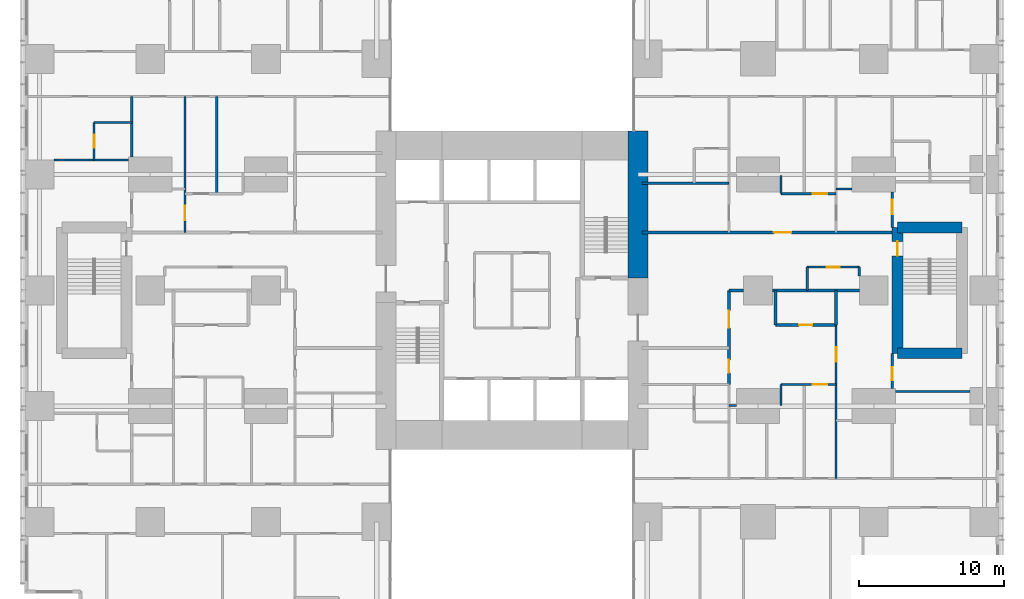
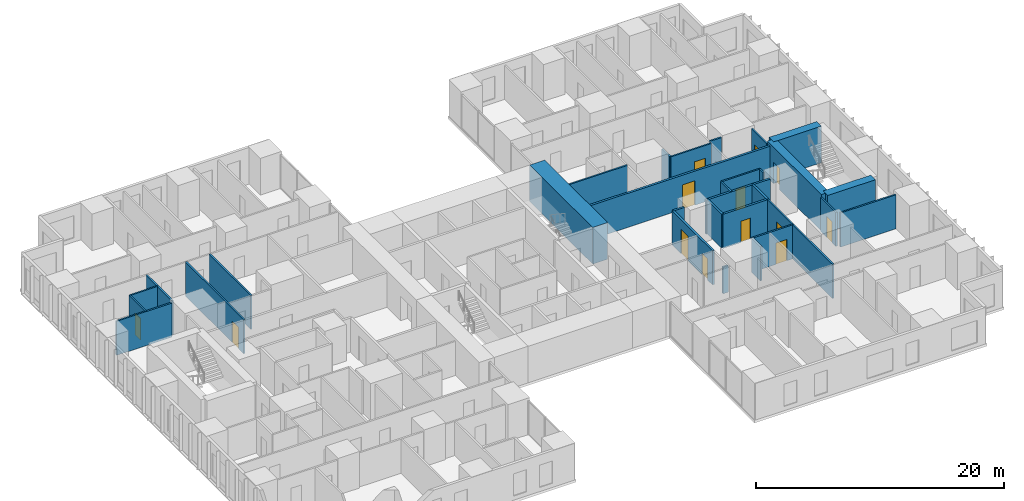
# One storey, part 16 of 21: 31 walls, 13 doors, 13 openings.
"""IFC4 building model written with IfcOpenShell, lengths in metres."""

from ifc_helpers import new_model, si_unit, direction, frame, frame_2d, origin, place, context, subcontext, project, spatial, rectangle, extrude, material, layer, layer_set, type_object, element, fill, save


model = new_model("IFC4")

# Units and contexts
model_context = context("Model", 3, precision=1e-05, world=origin(), true_north=direction((0.0, 1.0)))
body_context = subcontext(model_context, "Body", "Model", "MODEL_VIEW")
ifc_project = project(units=[si_unit("LENGTHUNIT", "METRE"), si_unit("AREAUNIT", "SQUARE_METRE"), si_unit("VOLUMEUNIT", "CUBIC_METRE"), si_unit("PLANEANGLEUNIT", "RADIAN"), si_unit("MASSUNIT", "GRAM", prefix="KILO")], contexts=[model_context])

# Site, building, storey
site_placement = place(None, origin())
site = spatial("IfcSite", under=ifc_project, at=site_placement, CompositionType="ELEMENT")
building_placement = place(site_placement, origin())
building = spatial("IfcBuilding", under=site, at=building_placement, Name="Cleftline Residences", CompositionType="ELEMENT")
storey_placement = place(building_placement, frame((0.0, 0.0, 161.0)))
storey = spatial("IfcBuildingStorey", under=building, at=storey_placement, Name="L42", CompositionType="ELEMENT", Elevation=161.0)

# Wall
ifc_material_1 = material(Name="Concrete B70", Category="concrete")
ifc_layer_1 = layer(ifc_material_1, 1.39990234375)
ifc_layer_set_1 = layer_set([ifc_layer_1], Name="CORE WALL 1400")
wall_type_1 = type_object("IfcWallType", Name="CORE WALL 1400", PredefinedType="SHEAR", material=ifc_layer_set_1)
wall_1_placement = place(storey_placement, frame((41.699951171875, 24.85009765625, 0.0), z_axis=(0.0, 0.0, 1.0), x_axis=(0.0, 1.0, 0.0)))
element("IfcWall", 1, at=wall_1_placement, inside=storey, type_object=wall_type_1, Name="Core wall E1", PredefinedType="SHEAR", context=body_context, shape_type="SweptSolid", body=[
    extrude(rectangle(XDim=10.14990234375, YDim=1.39990234375, at=frame_2d((5.074951171875, 0.0))), origin(), (0.0, 0.0, 1.0), 3.60009765625),
])

# Wall, opening, door
ifc_material_2 = material(Name="Concrete blockwork, fire rated", Category="masonry")
ifc_layer_2 = layer(ifc_material_2, 0.199951171875)
ifc_layer_set_2 = layer_set([ifc_layer_2], Name="FIRE WALL 200")
wall_type_2 = type_object("IfcWallType", Name="FIRE WALL 200", PredefinedType="PARTITIONING", material=ifc_layer_set_2)
wall_2_placement = place(storey_placement, frame((51.199951171875, 21.60009765625, 0.0), z_axis=(0.0, 0.0, 1.0), x_axis=(1.0, 0.0, 0.0)))
wall_2 = element("IfcWall", 2, at=wall_2_placement, inside=storey, type_object=wall_type_2, Name="Fire separating wall", PredefinedType="PARTITIONING", context=body_context, shape_type="SweptSolid", body=[
    extrude(rectangle(XDim=4.199951171875, YDim=0.199951171875, at=frame_2d((2.10009765625, 0.0))), origin(), (0.0, 0.0, 1.0), 3.35009765625),
])
opening_1_placement = place(wall_2_placement, frame((1.64990234375, 0.0, 0.0)))
opening_1 = element("IfcOpeningElement", 3, at=opening_1_placement, cuts=wall_2, Name="Opening D1F30", PredefinedType="OPENING", context=body_context, shape_type="SweptSolid", body=[
    extrude(rectangle(XDim=0.89990234375, YDim=2.10009765625, at=frame_2d((0.449951171875, 1.050048828125))), frame((0.0, 0.10986328125, 0.0), z_axis=(0.0, -1.0, 0.0), x_axis=(1.0, 0.0, 0.0)), (0.0, 0.0, 1.0), 0.219970703125),
])
ifc_material_3 = material(Name="Timber veneer on solid core", Category="wood")
door_type_1 = type_object("IfcDoorType", Name="DOOR 900X2100 EI 30", OperationType="SINGLE_SWING_LEFT", PredefinedType="DOOR", material=ifc_material_3)
door_1_placement = place(opening_1_placement, origin())
door_1 = element("IfcDoor", 4, at=door_1_placement, inside=storey, type_object=door_type_1, Name="Door to cloakroom wc", OperationType="SINGLE_SWING_LEFT", OverallHeight=2.10009765625, OverallWidth=0.89990234375, PredefinedType="DOOR", context=body_context, shape_type="SweptSolid", body=[
    extrude(rectangle(XDim=0.89990234375, YDim=2.10009765625, at=frame_2d((0.449951171875, 1.050048828125))), frame((0.0, 0.02490234375, 0.0), z_axis=(0.0, -1.0, 0.0), x_axis=(1.0, 0.0, 0.0)), (0.0, 0.0, 1.0), 0.050048828125),
])
fill(opening_1, door_1)

# Walls
wall_3_placement = place(storey_placement, frame((48.0, 24.0, 0.0), z_axis=(0.0, 0.0, 1.0), x_axis=(1.0, 0.0, 0.0)))
element("IfcWall", 5, at=wall_3_placement, inside=storey, type_object=wall_type_2, Name="Fire separating wall", PredefinedType="PARTITIONING", context=body_context, shape_type="SweptSolid", body=[
    extrude(rectangle(XDim=1.0, YDim=0.199951171875, at=frame_2d((0.5, 0.0))), origin(), (0.0, 0.0, 1.0), 3.35009765625),
])
wall_4_placement = place(storey_placement, frame((51.0, 24.0, 0.0), z_axis=(0.0, 0.0, 1.0), x_axis=(1.0, 0.0, 0.0)))
element("IfcWall", 6, at=wall_4_placement, inside=storey, type_object=wall_type_2, Name="Fire separating wall", PredefinedType="PARTITIONING", context=body_context, shape_type="SweptSolid", body=[
    extrude(rectangle(XDim=6.0, YDim=0.199951171875, at=frame_2d((3.0, 0.0))), origin(), (0.0, 0.0, 1.0), 3.35009765625),
])

# Wall, opening, door
wall_5_placement = place(storey_placement, frame((42.0, 28.0, 0.0), z_axis=(0.0, 0.0, 1.0), x_axis=(1.0, 0.0, 0.0)))
wall_5 = element("IfcWall", 7, at=wall_5_placement, inside=storey, type_object=wall_type_2, Name="Fire separating wall", PredefinedType="PARTITIONING", context=body_context, shape_type="SweptSolid", body=[
    extrude(rectangle(XDim=17.27490234375, YDim=0.199951171875, at=frame_2d((8.637451171875, 0.0))), origin(), (0.0, 0.0, 1.0), 3.35009765625),
])
opening_2_placement = place(wall_5_placement, frame((9.10009765625, 0.0, 0.0)))
opening_2 = element("IfcOpeningElement", 8, at=opening_2_placement, cuts=wall_5, Name="Opening D4", PredefinedType="OPENING", context=body_context, shape_type="SweptSolid", body=[
    extrude(rectangle(XDim=1.199951171875, YDim=2.39990234375, at=frame_2d((0.60009765625, 1.199951171875))), frame((0.0, 0.10986328125, 0.0), z_axis=(0.0, -1.0, 0.0), x_axis=(1.0, 0.0, 0.0)), (0.0, 0.0, 1.0), 0.219970703125),
])
ifc_material_4 = material(Name="Timber veneer on solid core", Category="wood")
door_type_2 = type_object("IfcDoorType", Name="APARTMENT ENTRANCE DOOR 1200X2400", OperationType="SINGLE_SWING_RIGHT", PredefinedType="DOOR", material=ifc_material_4)
door_2_placement = place(opening_2_placement, origin())
door_2 = element("IfcDoor", 9, at=door_2_placement, inside=storey, type_object=door_type_2, Name="Door to residence entrance (gallery)", OperationType="SINGLE_SWING_LEFT", OverallHeight=2.39990234375, OverallWidth=1.199951171875, PredefinedType="DOOR", context=body_context, shape_type="SweptSolid", body=[
    extrude(rectangle(XDim=1.199951171875, YDim=2.39990234375, at=frame_2d((0.60009765625, 1.199951171875))), frame((0.0, 0.02490234375, 0.0), z_axis=(0.0, -1.0, 0.0), x_axis=(1.0, 0.0, 0.0)), (0.0, 0.0, 1.0), 0.050048828125),
])
fill(opening_2, door_2)

# Wall, openings, doors
wall_6_placement = place(storey_placement, frame((48.0, 17.5, 0.0), z_axis=(0.0, 0.0, 1.0), x_axis=(0.0, 1.0, 0.0)))
wall_6 = element("IfcWall", 10, at=wall_6_placement, inside=storey, type_object=wall_type_2, Name="Fire separating wall", PredefinedType="PARTITIONING", context=body_context, shape_type="SweptSolid", body=[
    extrude(rectangle(XDim=6.5, YDim=0.199951171875, at=frame_2d((3.25, 0.0))), origin(), (0.0, 0.0, 1.0), 3.35009765625),
])
opening_3_placement = place(wall_6_placement, frame((3.89990234375, 0.0, 0.0)))
opening_3 = element("IfcOpeningElement", 11, at=opening_3_placement, cuts=wall_6, Name="Opening D4", PredefinedType="OPENING", context=body_context, shape_type="SweptSolid", body=[
    extrude(rectangle(XDim=1.199951171875, YDim=2.39990234375, at=frame_2d((0.60009765625, 1.199951171875))), frame((0.0, 0.10986328125, 0.0), z_axis=(0.0, -1.0, 0.0), x_axis=(1.0, 0.0, 0.0)), (0.0, 0.0, 1.0), 0.219970703125),
])
opening_4_placement = place(wall_6_placement, frame((0.800048828125, 0.0, 0.0)))
opening_4 = element("IfcOpeningElement", 12, at=opening_4_placement, cuts=wall_6, Name="Opening D1F30", PredefinedType="OPENING", context=body_context, shape_type="SweptSolid", body=[
    extrude(rectangle(XDim=0.89990234375, YDim=2.10009765625, at=frame_2d((0.449951171875, 1.050048828125))), frame((0.0, 0.10986328125, 0.0), z_axis=(0.0, -1.0, 0.0), x_axis=(1.0, 0.0, 0.0)), (0.0, 0.0, 1.0), 0.219970703125),
])
door_3_placement = place(opening_3_placement, origin())
door_3 = element("IfcDoor", 13, at=door_3_placement, inside=storey, type_object=door_type_2, Name="Door to residence entrance foyer", OperationType="SINGLE_SWING_LEFT", OverallHeight=2.39990234375, OverallWidth=1.199951171875, PredefinedType="DOOR", context=body_context, shape_type="SweptSolid", body=[
    extrude(rectangle(XDim=1.199951171875, YDim=2.39990234375, at=frame_2d((0.60009765625, 1.199951171875))), frame((0.0, 0.02490234375, 0.0), z_axis=(0.0, -1.0, 0.0), x_axis=(1.0, 0.0, 0.0)), (0.0, 0.0, 1.0), 0.050048828125),
])
fill(opening_3, door_3)
door_4_placement = place(opening_4_placement, origin())
door_4 = element("IfcDoor", 14, at=door_4_placement, inside=storey, type_object=door_type_1, Name="Door to utility room", OperationType="SINGLE_SWING_RIGHT", OverallHeight=2.10009765625, OverallWidth=0.89990234375, PredefinedType="DOOR", context=body_context, shape_type="SweptSolid", body=[
    extrude(rectangle(XDim=0.89990234375, YDim=2.10009765625, at=frame_2d((0.449951171875, 1.050048828125))), frame((0.0, 0.02490234375, 0.0), z_axis=(0.0, -1.0, 0.0), x_axis=(1.0, 0.0, 0.0)), (0.0, 0.0, 1.0), 0.050048828125),
])
fill(opening_4, door_4)

# Walls
for number, where, z_axis, x_axis, name in (
    (15, (51.199951171875, 21.60009765625, 0.0), (0.0, 0.0, 1.0), (0.0, 1.0, 0.0), "Fire separating wall"),
    (16, (55.39990234375, 21.60009765625, 0.0), (0.0, 0.0, 1.0), (0.0, 1.0, 0.0), "Fire separating wall"),
):
    element("IfcWall", number, at=place(storey_placement, frame(where, z_axis=z_axis, x_axis=x_axis)), inside=storey, type_object=wall_type_2, Name=name, PredefinedType="PARTITIONING", context=body_context, shape_type="SweptSolid", body=[
        extrude(rectangle(XDim=2.39990234375, YDim=0.199951171875, at=frame_2d((1.199951171875, 0.0))), origin(), (0.0, 0.0, 1.0), 3.35009765625),
    ])
ifc_material_5 = material(Name="Gypsum board on steel studs", Category="steel")
ifc_layer_3 = layer(ifc_material_5, 0.14990234375)
ifc_layer_set_3 = layer_set([ifc_layer_3], Name="PARTITION 150")
wall_type_3 = type_object("IfcWallType", Name="PARTITION 150", PredefinedType="PARTITIONING", material=ifc_layer_set_3)
wall_7_placement = place(storey_placement, frame((48.0, 16.050048828125, 0.0), z_axis=(0.0, 0.0, 1.0), x_axis=(1.0, 0.0, 0.0)))
element("IfcWall", 17, at=wall_7_placement, inside=storey, type_object=wall_type_3, Name="Partition", PredefinedType="PARTITIONING", context=body_context, shape_type="SweptSolid", body=[
    extrude(rectangle(XDim=0.5, YDim=0.14990234375, at=frame_2d((0.25, 0.0))), origin(), (0.0, 0.0, 1.0), 2.634033203125),
])
wall_8_placement = place(storey_placement, frame((59.5, 17.0, 0.0), z_axis=(0.0, 0.0, 1.0), x_axis=(1.0, 0.0, 0.0)))
element("IfcWall", 18, at=wall_8_placement, inside=storey, type_object=wall_type_3, Name="Partition", PredefinedType="PARTITIONING", context=body_context, shape_type="SweptSolid", body=[
    extrude(rectangle(XDim=5.14990234375, YDim=0.14990234375, at=frame_2d((2.574951171875, 0.0))), origin(), (0.0, 0.0, 1.0), 3.35009765625),
])

# Wall, opening, door
wall_9_placement = place(storey_placement, frame((51.60009765625, 17.5, 0.0), z_axis=(0.0, 0.0, 1.0), x_axis=(1.0, 0.0, 0.0)))
wall_9 = element("IfcWall", 19, at=wall_9_placement, inside=storey, type_object=wall_type_3, Name="Partition", PredefinedType="PARTITIONING", context=body_context, shape_type="SweptSolid", body=[
    extrude(rectangle(XDim=3.7998046875, YDim=0.14990234375, at=frame_2d((1.89990234375, 0.0))), origin(), (0.0, 0.0, 1.0), 3.35009765625),
])
opening_5_placement = place(wall_9_placement, frame((2.199951171875, 0.0, 0.0)))
opening_5 = element("IfcOpeningElement", 20, at=opening_5_placement, cuts=wall_9, Name="Opening D2", PredefinedType="OPENING", context=body_context, shape_type="SweptSolid", body=[
    extrude(rectangle(XDim=1.0, YDim=2.10009765625, at=frame_2d((0.5, 1.050048828125))), frame((0.0, 0.0849609375, 0.0), z_axis=(0.0, -1.0, 0.0), x_axis=(1.0, 0.0, 0.0)), (0.0, 0.0, 1.0), 0.169921875),
])
ifc_material_6 = material(Name="Timber veneer on solid core", Category="wood")
door_type_3 = type_object("IfcDoorType", Name="DOOR 1000X2100", OperationType="SINGLE_SWING_LEFT", PredefinedType="DOOR", material=ifc_material_6)
door_5_placement = place(opening_5_placement, origin())
door_5 = element("IfcDoor", 21, at=door_5_placement, inside=storey, type_object=door_type_3, Name="Door to residence passage", OperationType="SINGLE_SWING_LEFT", OverallHeight=2.10009765625, OverallWidth=1.0, PredefinedType="DOOR", context=body_context, shape_type="SweptSolid", body=[
    extrude(rectangle(XDim=1.0, YDim=2.10009765625, at=frame_2d((0.5, 1.050048828125))), frame((0.0, 0.02490234375, 0.0), z_axis=(0.0, -1.0, 0.0), x_axis=(1.0, 0.0, 0.0)), (0.0, 0.0, 1.0), 0.050048828125),
])
fill(opening_5, door_5)

wall_10_placement = place(storey_placement, frame((53.39990234375, 25.60009765625, 0.0), z_axis=(0.0, 0.0, 1.0), x_axis=(1.0, 0.0, 0.0)))
wall_10 = element("IfcWall", 22, at=wall_10_placement, inside=storey, type_object=wall_type_3, Name="Partition", PredefinedType="PARTITIONING", context=body_context, shape_type="SweptSolid", body=[
    extrude(rectangle(XDim=3.60009765625, YDim=0.14990234375, at=frame_2d((1.800048828125, 0.0))), origin(), (0.0, 0.0, 1.0), 3.35009765625),
])
opening_6_placement = place(wall_10_placement, frame((1.35009765625, 0.0, 0.0)))
opening_6 = element("IfcOpeningElement", 23, at=opening_6_placement, cuts=wall_10, Name="Opening D1", PredefinedType="OPENING", context=body_context, shape_type="SweptSolid", body=[
    extrude(rectangle(XDim=0.89990234375, YDim=2.10009765625, at=frame_2d((0.449951171875, 1.050048828125))), frame((0.0, 0.0849609375, 0.0), z_axis=(0.0, -1.0, 0.0), x_axis=(1.0, 0.0, 0.0)), (0.0, 0.0, 1.0), 0.169921875),
])
ifc_material_7 = material(Name="Timber veneer on solid core", Category="wood")
door_type_4 = type_object("IfcDoorType", Name="DOOR 900X2100", OperationType="SINGLE_SWING_LEFT", PredefinedType="DOOR", material=ifc_material_7)
door_6_placement = place(opening_6_placement, origin())
door_6 = element("IfcDoor", 24, at=door_6_placement, inside=storey, type_object=door_type_4, Name="Door to residents' storage room", OperationType="SINGLE_SWING_LEFT", OverallHeight=2.10009765625, OverallWidth=0.89990234375, PredefinedType="DOOR", context=body_context, shape_type="SweptSolid", body=[
    extrude(rectangle(XDim=0.89990234375, YDim=2.10009765625, at=frame_2d((0.449951171875, 1.050048828125))), frame((0.0, 0.02490234375, 0.0), z_axis=(0.0, -1.0, 0.0), x_axis=(1.0, 0.0, 0.0)), (0.0, 0.0, 1.0), 0.050048828125),
])
fill(opening_6, door_6)

wall_11_placement = place(storey_placement, frame((51.60009765625, 30.675048828125, 0.0), z_axis=(0.0, 0.0, 1.0), x_axis=(1.0, 0.0, 0.0)))
wall_11 = element("IfcWall", 25, at=wall_11_placement, inside=storey, type_object=wall_type_3, Name="Partition", PredefinedType="PARTITIONING", context=body_context, shape_type="SweptSolid", body=[
    extrude(rectangle(XDim=3.7998046875, YDim=0.14990234375, at=frame_2d((1.89990234375, 0.0))), origin(), (0.0, 0.0, 1.0), 3.35009765625),
])
opening_7_placement = place(wall_11_placement, frame((2.199951171875, 0.0, 0.0)))
opening_7 = element("IfcOpeningElement", 26, at=opening_7_placement, cuts=wall_11, Name="Opening D2", PredefinedType="OPENING", context=body_context, shape_type="SweptSolid", body=[
    extrude(rectangle(XDim=1.0, YDim=2.10009765625, at=frame_2d((0.5, 1.050048828125))), frame((0.0, 0.0849609375, 0.0), z_axis=(0.0, -1.0, 0.0), x_axis=(1.0, 0.0, 0.0)), (0.0, 0.0, 1.0), 0.169921875),
])
door_7_placement = place(opening_7_placement, origin())
door_7 = element("IfcDoor", 27, at=door_7_placement, inside=storey, type_object=door_type_3, Name="Door to residence passage", OperationType="SINGLE_SWING_LEFT", OverallHeight=2.10009765625, OverallWidth=1.0, PredefinedType="DOOR", context=body_context, shape_type="SweptSolid", body=[
    extrude(rectangle(XDim=1.0, YDim=2.10009765625, at=frame_2d((0.5, 1.050048828125))), frame((0.0, 0.02490234375, 0.0), z_axis=(0.0, -1.0, 0.0), x_axis=(1.0, 0.0, 0.0)), (0.0, 0.0, 1.0), 0.050048828125),
])
fill(opening_7, door_7)

# Walls
wall_12_placement = place(storey_placement, frame((55.39990234375, 31.0, 0.0), z_axis=(0.0, 0.0, 1.0), x_axis=(1.0, 0.0, 0.0)))
element("IfcWall", 28, at=wall_12_placement, inside=storey, type_object=wall_type_3, Name="Partition", PredefinedType="PARTITIONING", context=body_context, shape_type="SweptSolid", body=[
    extrude(rectangle(XDim=1.10009765625, YDim=0.14990234375, at=frame_2d((0.550048828125, 0.0))), origin(), (0.0, 0.0, 1.0), 3.35009765625),
])
wall_13_placement = place(storey_placement, frame((42.0, 31.39990234375, 0.0), z_axis=(0.0, 0.0, 1.0), x_axis=(1.0, 0.0, 0.0)))
element("IfcWall", 29, at=wall_13_placement, inside=storey, type_object=wall_type_3, Name="Partition", PredefinedType="PARTITIONING", context=body_context, shape_type="SweptSolid", body=[
    extrude(rectangle(XDim=6.0, YDim=0.14990234375, at=frame_2d((3.0, 0.0))), origin(), (0.0, 0.0, 1.0), 3.35009765625),
])
wall_14_placement = place(storey_placement, frame((1.35009765625, 33.0, 0.0), z_axis=(0.0, 0.0, 1.0), x_axis=(1.0, 0.0, 0.0)))
element("IfcWall", 30, at=wall_14_placement, inside=storey, type_object=wall_type_3, Name="Partition", PredefinedType="PARTITIONING", context=body_context, shape_type="SweptSolid", body=[
    extrude(rectangle(XDim=5.14990234375, YDim=0.14990234375, at=frame_2d((2.574951171875, 0.0))), origin(), (0.0, 0.0, 1.0), 3.35009765625),
])
wall_15_placement = place(storey_placement, frame((4.125, 35.60009765625, 0.0), z_axis=(0.0, 0.0, 1.0), x_axis=(1.0, 0.0, 0.0)))
element("IfcWall", 31, at=wall_15_placement, inside=storey, type_object=wall_type_3, Name="Partition", PredefinedType="PARTITIONING", context=body_context, shape_type="SweptSolid", body=[
    extrude(rectangle(XDim=2.60009765625, YDim=0.14990234375, at=frame_2d((1.300048828125, 0.0))), origin(), (0.0, 0.0, 1.0), 3.35009765625),
])

# Wall, opening, door
wall_16_placement = place(storey_placement, frame((4.125, 33.0, 0.0), z_axis=(0.0, 0.0, 1.0), x_axis=(0.0, 1.0, 0.0)))
wall_16 = element("IfcWall", 32, at=wall_16_placement, inside=storey, type_object=wall_type_3, Name="Partition", PredefinedType="PARTITIONING", context=body_context, shape_type="SweptSolid", body=[
    extrude(rectangle(XDim=2.60009765625, YDim=0.14990234375, at=frame_2d((1.300048828125, 0.0))), origin(), (0.0, 0.0, 1.0), 3.35009765625),
])
opening_8_placement = place(wall_16_placement, frame((0.85009765625, 0.0, 0.0)))
opening_8 = element("IfcOpeningElement", 33, at=opening_8_placement, cuts=wall_16, Name="Opening D1", PredefinedType="OPENING", context=body_context, shape_type="SweptSolid", body=[
    extrude(rectangle(XDim=0.89990234375, YDim=2.10009765625, at=frame_2d((0.449951171875, 1.050048828125))), frame((0.0, 0.0849609375, 0.0), z_axis=(0.0, -1.0, 0.0), x_axis=(1.0, 0.0, 0.0)), (0.0, 0.0, 1.0), 0.169921875),
])
door_8_placement = place(opening_8_placement, origin())
door_8 = element("IfcDoor", 34, at=door_8_placement, inside=storey, type_object=door_type_4, Name="Door to master bathroom", OperationType="SINGLE_SWING_LEFT", OverallHeight=2.10009765625, OverallWidth=0.89990234375, PredefinedType="DOOR", context=body_context, shape_type="SweptSolid", body=[
    extrude(rectangle(XDim=0.89990234375, YDim=2.10009765625, at=frame_2d((0.449951171875, 1.050048828125))), frame((0.0, 0.02490234375, 0.0), z_axis=(0.0, -1.0, 0.0), x_axis=(1.0, 0.0, 0.0)), (0.0, 0.0, 1.0), 0.050048828125),
])
fill(opening_8, door_8)

# Wall
wall_17_placement = place(storey_placement, frame((6.72509765625, 33.199951171875, 0.0), z_axis=(0.0, 0.0, 1.0), x_axis=(0.0, 1.0, 0.0)))
element("IfcWall", 35, at=wall_17_placement, inside=storey, type_object=wall_type_3, Name="Partition", PredefinedType="PARTITIONING", context=body_context, shape_type="SweptSolid", body=[
    extrude(rectangle(XDim=4.199951171875, YDim=0.14990234375, at=frame_2d((2.10009765625, 0.0))), origin(), (0.0, 0.0, 1.0), 3.35009765625),
])

# Wall, opening, door
wall_18_placement = place(storey_placement, frame((10.39990234375, 28.0, 0.0), z_axis=(0.0, 0.0, 1.0), x_axis=(0.0, 1.0, 0.0)))
wall_18 = element("IfcWall", 36, at=wall_18_placement, inside=storey, type_object=wall_type_3, Name="Partition", PredefinedType="PARTITIONING", context=body_context, shape_type="SweptSolid", body=[
    extrude(rectangle(XDim=9.39990234375, YDim=0.14990234375, at=frame_2d((4.699951171875, 0.0))), origin(), (0.0, 0.0, 1.0), 3.35009765625),
])
opening_9_placement = place(wall_18_placement, frame((0.83740234375, 0.0, 0.0)))
opening_9 = element("IfcOpeningElement", 37, at=opening_9_placement, cuts=wall_18, Name="Opening D2F30", PredefinedType="OPENING", context=body_context, shape_type="SweptSolid", body=[
    extrude(rectangle(XDim=1.0, YDim=2.10009765625, at=frame_2d((0.5, 1.050048828125))), frame((0.0, 0.0849609375, 0.0), z_axis=(0.0, -1.0, 0.0), x_axis=(1.0, 0.0, 0.0)), (0.0, 0.0, 1.0), 0.169921875),
])
ifc_material_8 = material(Name="Timber veneer on solid core", Category="wood")
door_type_5 = type_object("IfcDoorType", Name="DOOR 1000X2100 EI 30", OperationType="SINGLE_SWING_LEFT", PredefinedType="DOOR", material=ifc_material_8)
door_9_placement = place(opening_9_placement, origin())
door_9 = element("IfcDoor", 38, at=door_9_placement, inside=storey, type_object=door_type_5, Name="Door to residence lobby (service)", OperationType="SINGLE_SWING_RIGHT", OverallHeight=2.10009765625, OverallWidth=1.0, PredefinedType="DOOR", context=body_context, shape_type="SweptSolid", body=[
    extrude(rectangle(XDim=1.0, YDim=2.10009765625, at=frame_2d((0.5, 1.050048828125))), frame((0.0, 0.02490234375, 0.0), z_axis=(0.0, -1.0, 0.0), x_axis=(1.0, 0.0, 0.0)), (0.0, 0.0, 1.0), 0.050048828125),
])
fill(opening_9, door_9)

# Walls
wall_19_placement = place(storey_placement, frame((12.60009765625, 30.675048828125, 0.0), z_axis=(0.0, 0.0, 1.0), x_axis=(0.0, 1.0, 0.0)))
element("IfcWall", 39, at=wall_19_placement, inside=storey, type_object=wall_type_3, Name="Partition", PredefinedType="PARTITIONING", context=body_context, shape_type="SweptSolid", body=[
    extrude(rectangle(XDim=6.724853515625, YDim=0.14990234375, at=frame_2d((3.3623046875, 0.0))), origin(), (0.0, 0.0, 1.0), 3.35009765625),
])
wall_20_placement = place(storey_placement, frame((51.60009765625, 16.050048828125, 0.0), z_axis=(0.0, 0.0, 1.0), x_axis=(0.0, 1.0, 0.0)))
element("IfcWall", 40, at=wall_20_placement, inside=storey, type_object=wall_type_3, Name="Partition", PredefinedType="PARTITIONING", context=body_context, shape_type="SweptSolid", body=[
    extrude(rectangle(XDim=1.449951171875, YDim=0.14990234375, at=frame_2d((0.72509765625, 0.0))), origin(), (0.0, 0.0, 1.0), 3.35009765625),
])
wall_21_placement = place(storey_placement, frame((51.60009765625, 30.675048828125, 0.0), z_axis=(0.0, 0.0, 1.0), x_axis=(0.0, 1.0, 0.0)))
element("IfcWall", 41, at=wall_21_placement, inside=storey, type_object=wall_type_3, Name="Partition", PredefinedType="PARTITIONING", context=body_context, shape_type="SweptSolid", body=[
    extrude(rectangle(XDim=1.27490234375, YDim=0.14990234375, at=frame_2d((0.637451171875, 0.0))), origin(), (0.0, 0.0, 1.0), 3.35009765625),
])
wall_22_placement = place(storey_placement, frame((53.39990234375, 24.0, 0.0), z_axis=(0.0, 0.0, 1.0), x_axis=(0.0, 1.0, 0.0)))
element("IfcWall", 42, at=wall_22_placement, inside=storey, type_object=wall_type_3, Name="Partition", PredefinedType="PARTITIONING", context=body_context, shape_type="SweptSolid", body=[
    extrude(rectangle(XDim=1.60009765625, YDim=0.14990234375, at=frame_2d((0.800048828125, 0.0))), origin(), (0.0, 0.0, 1.0), 3.35009765625),
])

# Wall, opening, door
wall_23_placement = place(storey_placement, frame((55.39990234375, 11.0, 0.0), z_axis=(0.0, 0.0, 1.0), x_axis=(0.0, 1.0, 0.0)))
wall_23 = element("IfcWall", 43, at=wall_23_placement, inside=storey, type_object=wall_type_3, Name="Partition", PredefinedType="PARTITIONING", context=body_context, shape_type="SweptSolid", body=[
    extrude(rectangle(XDim=10.60009765625, YDim=0.14990234375, at=frame_2d((5.300048828125, 0.0))), origin(), (0.0, 0.0, 1.0), 3.35009765625),
])
opening_10_placement = place(wall_23_placement, frame((8.050048828125, 0.0, 0.0)))
opening_10 = element("IfcOpeningElement", 44, at=opening_10_placement, cuts=wall_23, Name="Opening D2F30", PredefinedType="OPENING", context=body_context, shape_type="SweptSolid", body=[
    extrude(rectangle(XDim=1.0, YDim=2.10009765625, at=frame_2d((0.5, 1.050048828125))), frame((0.0, 0.0849609375, 0.0), z_axis=(0.0, -1.0, 0.0), x_axis=(1.0, 0.0, 0.0)), (0.0, 0.0, 1.0), 0.169921875),
])
door_10_placement = place(opening_10_placement, origin())
door_10 = element("IfcDoor", 45, at=door_10_placement, inside=storey, type_object=door_type_5, Name="Door to residence lobby", OperationType="SINGLE_SWING_LEFT", OverallHeight=2.10009765625, OverallWidth=1.0, PredefinedType="DOOR", context=body_context, shape_type="SweptSolid", body=[
    extrude(rectangle(XDim=1.0, YDim=2.10009765625, at=frame_2d((0.5, 1.050048828125))), frame((0.0, 0.02490234375, 0.0), z_axis=(0.0, -1.0, 0.0), x_axis=(1.0, 0.0, 0.0)), (0.0, 0.0, 1.0), 0.050048828125),
])
fill(opening_10, door_10)

# Wall
wall_24_placement = place(storey_placement, frame((57.0, 25.0, 0.0), z_axis=(0.0, 0.0, 1.0), x_axis=(0.0, 1.0, 0.0)))
element("IfcWall", 46, at=wall_24_placement, inside=storey, type_object=wall_type_3, Name="Partition", PredefinedType="PARTITIONING", context=body_context, shape_type="SweptSolid", body=[
    extrude(rectangle(XDim=0.60009765625, YDim=0.14990234375, at=frame_2d((0.300048828125, 0.0))), origin(), (0.0, 0.0, 1.0), 3.35009765625),
])

# Wall, opening, door
wall_25_placement = place(storey_placement, frame((59.27490234375, 17.199951171875, 0.0), z_axis=(0.0, 0.0, 1.0), x_axis=(0.0, 1.0, 0.0)))
wall_25 = element("IfcWall", 47, at=wall_25_placement, inside=storey, type_object=wall_type_3, Name="Partition", PredefinedType="PARTITIONING", context=body_context, shape_type="SweptSolid", body=[
    extrude(rectangle(XDim=2.449951171875, YDim=0.14990234375, at=frame_2d((1.22509765625, 0.0))), origin(), (0.0, 0.0, 1.0), 3.35009765625),
])
opening_11_placement = place(wall_25_placement, frame((0.58740234375, 0.0, 0.0)))
opening_11 = element("IfcOpeningElement", 48, at=opening_11_placement, cuts=wall_25, Name="Opening D1", PredefinedType="OPENING", context=body_context, shape_type="SweptSolid", body=[
    extrude(rectangle(XDim=0.89990234375, YDim=2.10009765625, at=frame_2d((0.449951171875, 1.050048828125))), frame((0.0, 0.0849609375, 0.0), z_axis=(0.0, -1.0, 0.0), x_axis=(1.0, 0.0, 0.0)), (0.0, 0.0, 1.0), 0.169921875),
])
door_11_placement = place(opening_11_placement, origin())
door_11 = element("IfcDoor", 49, at=door_11_placement, inside=storey, type_object=door_type_4, Name="Door to drying loggia", OperationType="SINGLE_SWING_RIGHT", OverallHeight=2.10009765625, OverallWidth=0.89990234375, PredefinedType="DOOR", context=body_context, shape_type="SweptSolid", body=[
    extrude(rectangle(XDim=0.89990234375, YDim=2.10009765625, at=frame_2d((0.449951171875, 1.050048828125))), frame((0.0, 0.02490234375, 0.0), z_axis=(0.0, -1.0, 0.0), x_axis=(1.0, 0.0, 0.0)), (0.0, 0.0, 1.0), 0.050048828125),
])
fill(opening_11, door_11)

wall_26_placement = place(storey_placement, frame((59.27490234375, 28.35009765625, 0.0), z_axis=(0.0, 0.0, 1.0), x_axis=(0.0, 1.0, 0.0)))
wall_26 = element("IfcWall", 50, at=wall_26_placement, inside=storey, type_object=wall_type_3, Name="Partition", PredefinedType="PARTITIONING", context=body_context, shape_type="SweptSolid", body=[
    extrude(rectangle(XDim=2.449951171875, YDim=0.14990234375, at=frame_2d((1.22509765625, 0.0))), origin(), (0.0, 0.0, 1.0), 3.35009765625),
])
opening_12_placement = place(wall_26_placement, frame((0.91259765625, 0.0, 0.0)))
opening_12 = element("IfcOpeningElement", 51, at=opening_12_placement, cuts=wall_26, Name="Opening D2", PredefinedType="OPENING", context=body_context, shape_type="SweptSolid", body=[
    extrude(rectangle(XDim=1.0, YDim=2.10009765625, at=frame_2d((0.5, 1.050048828125))), frame((0.0, 0.0849609375, 0.0), z_axis=(0.0, -1.0, 0.0), x_axis=(1.0, 0.0, 0.0)), (0.0, 0.0, 1.0), 0.169921875),
])
door_12_placement = place(opening_12_placement, origin())
door_12 = element("IfcDoor", 52, at=door_12_placement, inside=storey, type_object=door_type_3, Name="Door to winter garden", OperationType="SINGLE_SWING_LEFT", OverallHeight=2.10009765625, OverallWidth=1.0, PredefinedType="DOOR", context=body_context, shape_type="SweptSolid", body=[
    extrude(rectangle(XDim=1.0, YDim=2.10009765625, at=frame_2d((0.5, 1.050048828125))), frame((0.0, 0.02490234375, 0.0), z_axis=(0.0, -1.0, 0.0), x_axis=(1.0, 0.0, 0.0)), (0.0, 0.0, 1.0), 0.050048828125),
])
fill(opening_12, door_12)

# Walls
ifc_material_9 = material(Name="Concrete B70", Category="concrete")
ifc_layer_4 = layer(ifc_material_9, 0.75)
ifc_layer_set_4 = layer_set([ifc_layer_4], Name="SHEAR WALL 750")
wall_type_4 = type_object("IfcWallType", Name="SHEAR WALL 750", PredefinedType="SHEAR", material=ifc_layer_set_4)
for number, where, z_axis, x_axis, name in (
    (53, (59.64990234375, 19.64990234375, 0.0), (0.0, 0.0, 1.0), (1.0, 0.0, 0.0), "Wing shear wall"),
    (54, (64.10009765625, 28.35009765625, 0.0), (0.0, 0.0, 1.0), (-1.0, 0.0, 0.0), "Wing shear wall"),
):
    element("IfcWall", number, at=place(storey_placement, frame(where, z_axis=z_axis, x_axis=x_axis)), inside=storey, type_object=wall_type_4, Name=name, PredefinedType="SHEAR", context=body_context, shape_type="SweptSolid", body=[
        extrude(rectangle(XDim=4.4501953125, YDim=0.75, at=frame_2d((2.22509765625, 0.0))), origin(), (0.0, 0.0, 1.0), 3.60009765625),
    ])

# Wall, opening, door
wall_27_placement = place(storey_placement, frame((59.64990234375, 28.35009765625, 0.0), z_axis=(0.0, 0.0, 1.0), x_axis=(0.0, -1.0, 0.0)))
wall_27 = element("IfcWall", 55, at=wall_27_placement, inside=storey, type_object=wall_type_4, Name="Wing shear wall", PredefinedType="SHEAR", context=body_context, shape_type="SweptSolid", body=[
    extrude(rectangle(XDim=8.7001953125, YDim=0.75, at=frame_2d((4.35009765625, 0.0))), origin(), (0.0, 0.0, 1.0), 3.60009765625),
])
opening_13_placement = place(wall_27_placement, frame((0.97509765625, 0.0, 0.0)))
opening_13 = element("IfcOpeningElement", 56, at=opening_13_placement, cuts=wall_27, Name="Opening D5", PredefinedType="OPENING", context=body_context, shape_type="SweptSolid", body=[
    extrude(rectangle(XDim=1.0, YDim=2.10009765625, at=frame_2d((0.5, 1.050048828125))), frame((0.0, 0.385009765625, 0.0), z_axis=(0.0, -1.0, 0.0), x_axis=(1.0, 0.0, 0.0)), (0.0, 0.0, 1.0), 0.77001953125),
])
ifc_material_10 = material(Name="Steel", Category="steel")
door_type_6 = type_object("IfcDoorType", Name="STAIR DOOR 1000X2100", OperationType="SINGLE_SWING_LEFT", PredefinedType="DOOR", material=ifc_material_10)
door_13_placement = place(opening_13_placement, origin())
door_13 = element("IfcDoor", 57, at=door_13_placement, inside=storey, type_object=door_type_6, Name="Stair E door", OperationType="SINGLE_SWING_RIGHT", OverallHeight=2.10009765625, OverallWidth=1.0, PredefinedType="DOOR", context=body_context, shape_type="SweptSolid", body=[
    extrude(rectangle(XDim=1.0, YDim=2.10009765625, at=frame_2d((0.5, 1.050048828125))), frame((0.0, 0.02490234375, 0.0), z_axis=(0.0, -1.0, 0.0), x_axis=(1.0, 0.0, 0.0)), (0.0, 0.0, 1.0), 0.050048828125),
])
fill(opening_13, door_13)

save(model, "model.ifc")
